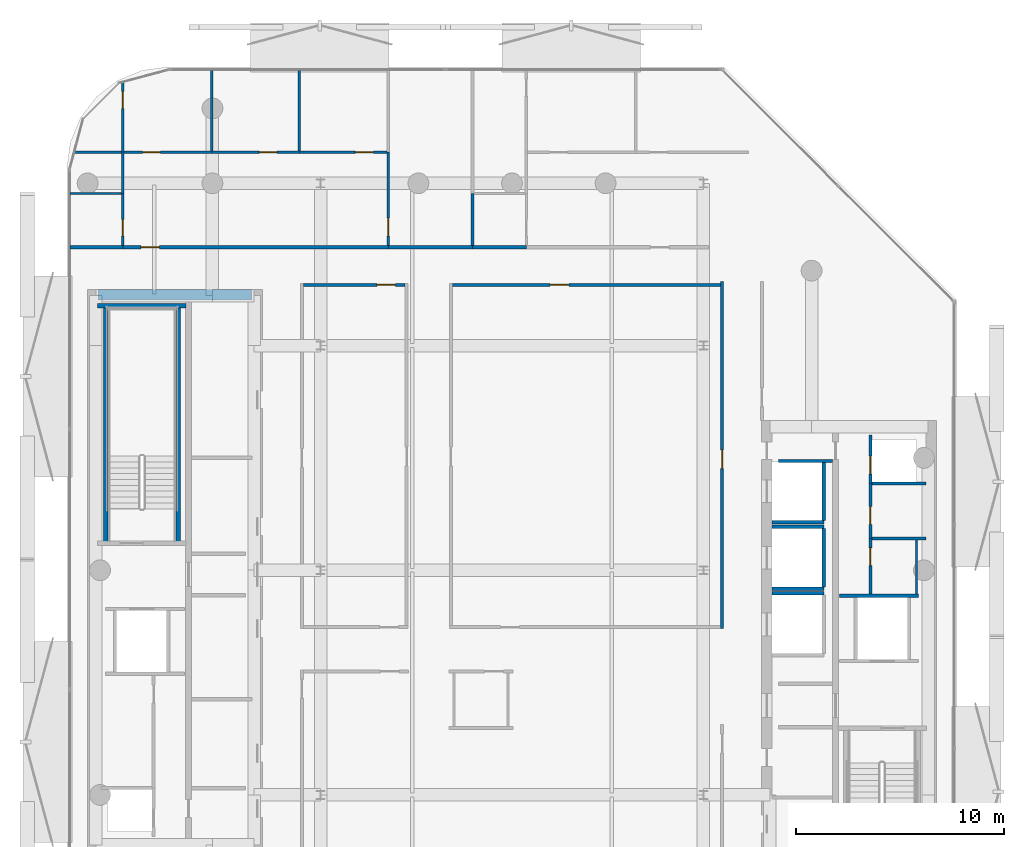
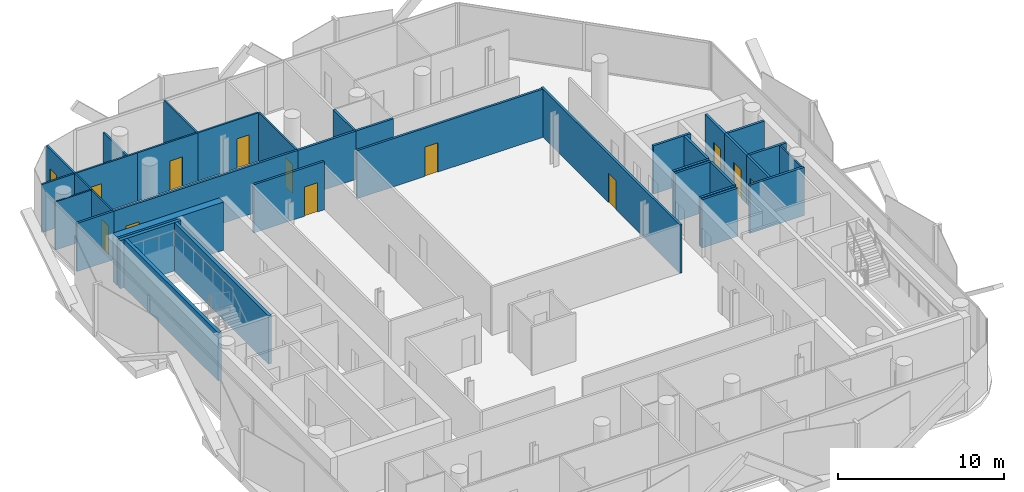
# One storey, part 7 of 15: 36 walls, 13 doors, 13 openings.
"""IFC4 building model written with IfcOpenShell, lengths in metres."""

from ifc_helpers import new_model, si_unit, direction, frame, frame_2d, origin, place, context, subcontext, project, spatial, rectangle, extrude, material, layer, layer_set, type_object, element, fill, save


model = new_model("IFC4")

# Units and contexts
model_context = context("Model", 3, precision=1e-05, world=origin(), true_north=direction((0.0, 1.0)))
body_context = subcontext(model_context, "Body", "Model", "MODEL_VIEW")
ifc_project = project(units=[si_unit("LENGTHUNIT", "METRE"), si_unit("AREAUNIT", "SQUARE_METRE"), si_unit("VOLUMEUNIT", "CUBIC_METRE"), si_unit("PLANEANGLEUNIT", "RADIAN"), si_unit("MASSUNIT", "GRAM", prefix="KILO")], contexts=[model_context])

# Site, building, storey
site_placement = place(None, origin())
site = spatial("IfcSite", under=ifc_project, at=site_placement, CompositionType="ELEMENT")
building_placement = place(site_placement, origin())
building = spatial("IfcBuilding", under=site, at=building_placement, Name="Khairoan Windgate Tower", CompositionType="ELEMENT")
storey_placement = place(building_placement, frame((0.0, 0.0, 285.199951171875)))
storey = spatial("IfcBuildingStorey", under=building, at=storey_placement, Name="L68", CompositionType="ELEMENT", Elevation=285.199951171875)

# Wall
ifc_material_1 = material(Name="Moisture-Resistant Gypsum Partition", Category="gypsum")
ifc_layer_1 = layer(ifc_material_1, 0.10009765625, Name="Moisture-Resistant Gypsum Partition")
ifc_layer_set_1 = layer_set([ifc_layer_1], Name="Moisture-Resistant Gypsum Partition")
wall_type_1 = type_object("IfcWallType", Name="Bathroom Wet-Area Partition Wall", PredefinedType="PARTITIONING", material=ifc_layer_set_1)
wall_1_placement = place(storey_placement, frame((-21.2548828125, 18.10009765625, 0.0), z_axis=(0.0, 0.0, 1.0), x_axis=(1.0, 0.0, 0.0)))
element("IfcWall", 1, at=wall_1_placement, inside=storey, type_object=wall_type_1, Name="L68 Interior Partition 036", PredefinedType="PARTITIONING", context=body_context, shape_type="SweptSolid", body=[
    extrude(rectangle(XDim=2.494873046875, YDim=0.10009765625, at=frame_2d((1.24755859375, 0.0))), origin(), (0.0, 0.0, 1.0), 3.5400390625),
])

# Wall, opening, door
wall_2_placement = place(storey_placement, frame((-18.7099609375, 15.60009765625, 0.0), z_axis=(0.0, 0.0, 1.0), x_axis=(0.0, 1.0, 0.0)))
wall_2 = element("IfcWall", 2, at=wall_2_placement, inside=storey, type_object=wall_type_1, Name="L68 Interior Partition 037", PredefinedType="PARTITIONING", context=body_context, shape_type="SweptSolid", body=[
    extrude(rectangle(XDim=2.5, YDim=0.10009765625, at=frame_2d((1.25, 0.0))), origin(), (0.0, 0.0, 1.0), 3.5400390625),
])
opening_1_placement = place(wall_2_placement, frame((0.4599609375, 0.0, 0.0)))
opening_1 = element("IfcOpeningElement", 3, at=opening_1_placement, cuts=wall_2, Name="Opening ID-BTH", PredefinedType="OPENING", context=body_context, shape_type="SweptSolid", body=[
    extrude(rectangle(XDim=0.800048828125, YDim=2.10009765625, at=frame_2d((0.39990234375, 1.050048828125))), frame((0.0, 0.06005859375, 0.0), z_axis=(0.0, -1.0, 0.0), x_axis=(1.0, 0.0, 0.0)), (0.0, 0.0, 1.0), 0.1201171875),
])
ifc_material_2 = material(Name="Teak Veneer Timber Leaf", Category="wood")
door_type_1 = type_object("IfcDoorType", Name="Internal Bathroom Door ID-BTH 800x2100", OperationType="NOTDEFINED", PredefinedType="DOOR", material=ifc_material_2)
door_1_placement = place(opening_1_placement, origin())
door_1 = element("IfcDoor", 4, at=door_1_placement, inside=storey, type_object=door_type_1, Name="L68 L68-33-L68-35 Door", OperationType="SINGLE_SWING_RIGHT", OverallHeight=2.10009765625, OverallWidth=0.800048828125, PredefinedType="DOOR", context=body_context, shape_type="SweptSolid", body=[
    extrude(rectangle(XDim=0.800048828125, YDim=2.10009765625, at=frame_2d((0.39990234375, 1.050048828125))), frame((0.0, 0.02490234375, 0.0), z_axis=(0.0, -1.0, 0.0), x_axis=(1.0, 0.0, 0.0)), (0.0, 0.0, 1.0), 0.050048828125),
])
fill(opening_1, door_1)

# Walls
wall_3_placement = place(storey_placement, frame((19.449951171875, 1.449951171875, 0.0), z_axis=(0.0, 0.0, 1.0), x_axis=(0.0, -1.0, 0.0)))
element("IfcWall", 5, at=wall_3_placement, inside=storey, type_object=wall_type_1, Name="L68 Wet Room Side Wall 077", PredefinedType="PARTITIONING", context=body_context, shape_type="SweptSolid", body=[
    extrude(rectangle(XDim=2.58984375, YDim=0.10009765625, at=frame_2d((1.294921875, 0.0))), origin(), (0.0, 0.0, 1.0), 3.5400390625),
])
ifc_material_3 = material(Name="Concrete C40/50", Category="concrete")
ifc_layer_2 = layer(ifc_material_3, 0.159912109375, Name="Concrete C40/50")
ifc_layer_set_2 = layer_set([ifc_layer_2], Name="Concrete C40/50")
wall_type_2 = type_object("IfcWallType", Name="Core and Hoistway Enclosure Wall", PredefinedType="STANDARD", material=ifc_layer_set_2)
wall_4_placement = place(storey_placement, frame((12.5, 2.31005859375, 0.0), z_axis=(0.0, 0.0, 1.0), x_axis=(1.0, 0.0, 0.0)))
element("IfcWall", 6, at=wall_4_placement, inside=storey, type_object=wall_type_2, Name="L68 Lift PL7 Hoistway Divider S", PredefinedType="STANDARD", context=body_context, shape_type="SweptSolid", body=[
    extrude(rectangle(XDim=2.489990234375, YDim=0.159912109375, at=frame_2d((1.2451171875, 0.0))), origin(), (0.0, 0.0, 1.0), 3.5400390625),
])
wall_5_placement = place(storey_placement, frame((14.989990234375, 2.39990234375, 0.0), z_axis=(0.0, 0.0, 1.0), x_axis=(0.0, 1.0, 0.0)))
element("IfcWall", 7, at=wall_5_placement, inside=storey, type_object=wall_type_2, Name="L68 Lift PL7 Hoistway Back Wall", PredefinedType="STANDARD", context=body_context, shape_type="SweptSolid", body=[
    extrude(rectangle(XDim=2.800048828125, YDim=0.159912109375, at=frame_2d((1.39990234375, 0.0))), origin(), (0.0, 0.0, 1.0), 3.5400390625),
])
for number, where, z_axis, x_axis, name in (
    (8, (12.5, -0.889892578125, 0.0), (0.0, 0.0, 1.0), (1.0, 0.0, 0.0), "L68 Lift PL8 Hoistway Divider S"),
    (9, (12.5, 2.090087890625, 0.0), (0.0, 0.0, 1.0), (1.0, 0.0, 0.0), "L68 Lift PL8 Hoistway Divider N"),
):
    element("IfcWall", number, at=place(storey_placement, frame(where, z_axis=z_axis, x_axis=x_axis)), inside=storey, type_object=wall_type_2, Name=name, PredefinedType="STANDARD", context=body_context, shape_type="SweptSolid", body=[
        extrude(rectangle(XDim=2.489990234375, YDim=0.159912109375, at=frame_2d((1.2451171875, 0.0))), origin(), (0.0, 0.0, 1.0), 3.5400390625),
    ])
wall_6_placement = place(storey_placement, frame((14.989990234375, -0.800048828125, 0.0), z_axis=(0.0, 0.0, 1.0), x_axis=(0.0, 1.0, 0.0)))
element("IfcWall", 10, at=wall_6_placement, inside=storey, type_object=wall_type_2, Name="L68 Lift PL8 Hoistway Back Wall", PredefinedType="STANDARD", context=body_context, shape_type="SweptSolid", body=[
    extrude(rectangle(XDim=2.800048828125, YDim=0.159912109375, at=frame_2d((1.39990234375, 0.0))), origin(), (0.0, 0.0, 1.0), 3.5400390625),
])
wall_7_placement = place(storey_placement, frame((12.5, -1.110107421875, 0.0), z_axis=(0.0, 0.0, 1.0), x_axis=(1.0, 0.0, 0.0)))
element("IfcWall", 11, at=wall_7_placement, inside=storey, type_object=wall_type_2, Name="L68 Lift PL9 Hoistway Divider N", PredefinedType="STANDARD", context=body_context, shape_type="SweptSolid", body=[
    extrude(rectangle(XDim=2.489990234375, YDim=0.159912109375, at=frame_2d((1.2451171875, 0.0))), origin(), (0.0, 0.0, 1.0), 3.5400390625),
])
wall_8_placement = place(storey_placement, frame((15.75, -1.219970703125, 0.0), z_axis=(0.0, 0.0, 1.0), x_axis=(1.0, 0.0, 0.0)))
element("IfcWall", 12, at=wall_8_placement, inside=storey, type_object=wall_type_2, Name="L68 Core Shaft Wall SW-FL1T-L68", PredefinedType="STANDARD", context=body_context, shape_type="SweptSolid", body=[
    extrude(rectangle(XDim=3.800048828125, YDim=0.159912109375, at=frame_2d((1.89990234375, 0.0))), origin(), (0.0, 0.0, 1.0), 3.5400390625),
])
wall_9_placement = place(storey_placement, frame((12.800048828125, 5.25, 0.0), z_axis=(0.0, 0.0, 1.0), x_axis=(1.0, 0.0, 0.0)))
element("IfcWall", 13, at=wall_9_placement, inside=storey, type_object=wall_type_2, Name="L68 Core Shaft Wall SW-ESV-L68", PredefinedType="STANDARD", context=body_context, shape_type="SweptSolid", body=[
    extrude(rectangle(XDim=2.599853515625, YDim=0.159912109375, at=frame_2d((1.2998046875, 0.0))), origin(), (0.0, 0.0, 1.0), 3.5400390625),
])
ifc_material_4 = material(Name="Acoustic Fire-Rated Gypsum Partition", Category="gypsum")
ifc_layer_3 = layer(ifc_material_4, 0.139892578125, Name="Acoustic Fire-Rated Gypsum Partition")
ifc_layer_set_3 = layer_set([ifc_layer_3], Name="Acoustic Fire-Rated Gypsum Partition")
wall_type_3 = type_object("IfcWallType", Name="Inter-Tenancy Compartment Wall", PredefinedType="PARTITIONING", material=ifc_layer_set_3)
wall_10_placement = place(storey_placement, frame((-1.89990234375, 15.60009765625, 0.0), z_axis=(0.0, 0.0, 1.0), x_axis=(0.0, 1.0, 0.0)))
element("IfcWall", 14, at=wall_10_placement, inside=storey, type_object=wall_type_3, Name="L68 Interior Partition 045", PredefinedType="PARTITIONING", context=body_context, shape_type="SweptSolid", body=[
    extrude(rectangle(XDim=2.5, YDim=0.139892578125, at=frame_2d((1.25, 0.0))), origin(), (0.0, 0.0, 1.0), 3.5400390625),
])
ifc_material_5 = material(Name="Gypsum Stud Partition", Category="gypsum")
ifc_layer_4 = layer(ifc_material_5, 0.1201171875, Name="Gypsum Stud Partition")
ifc_layer_set_4 = layer_set([ifc_layer_4], Name="Gypsum Stud Partition")
wall_type_4 = type_object("IfcWallType", Name="Internal Room Partition Wall", PredefinedType="PARTITIONING", material=ifc_layer_set_4)
wall_11_placement = place(storey_placement, frame((-18.7099609375, 18.10009765625, 0.0), z_axis=(0.0, 0.0, 1.0), x_axis=(0.0, 1.0, 0.0)))
element("IfcWall", 15, at=wall_11_placement, inside=storey, type_object=wall_type_4, Name="L68 Interior Partition 038", PredefinedType="PARTITIONING", context=body_context, shape_type="SweptSolid", body=[
    extrude(rectangle(XDim=2.0, YDim=0.1201171875, at=frame_2d((1.0, 0.0))), origin(), (0.0, 0.0, 1.0), 3.5400390625),
])

# Wall, opening, door
wall_12_placement = place(storey_placement, frame((-18.7099609375, 20.10009765625, 0.0), z_axis=(0.0, 0.0, 1.0), x_axis=(0.0, 1.0, 0.0)))
wall_12 = element("IfcWall", 16, at=wall_12_placement, inside=storey, type_object=wall_type_4, Name="L68 Interior Partition 039", PredefinedType="PARTITIONING", context=body_context, shape_type="SweptSolid", body=[
    extrude(rectangle(XDim=3.361328125, YDim=0.1201171875, at=frame_2d((1.6806640625, 0.0))), origin(), (0.0, 0.0, 1.0), 3.5400390625),
])
opening_2_placement = place(wall_12_placement, frame((2.1015625, 0.0, 0.0)))
opening_2 = element("IfcOpeningElement", 17, at=opening_2_placement, cuts=wall_12, Name="Opening ID-BTH", PredefinedType="OPENING", context=body_context, shape_type="SweptSolid", body=[
    extrude(rectangle(XDim=0.800048828125, YDim=2.10009765625, at=frame_2d((0.39990234375, 1.050048828125))), frame((0.0, 0.070068359375, 0.0), z_axis=(0.0, -1.0, 0.0), x_axis=(1.0, 0.0, 0.0)), (0.0, 0.0, 1.0), 0.14013671875),
])
door_2_placement = place(opening_2_placement, origin())
door_2 = element("IfcDoor", 18, at=door_2_placement, inside=storey, type_object=door_type_1, Name="L68 L68-34-L68-37 Door", OperationType="SINGLE_SWING_LEFT", OverallHeight=2.10009765625, OverallWidth=0.800048828125, PredefinedType="DOOR", context=body_context, shape_type="SweptSolid", body=[
    extrude(rectangle(XDim=0.800048828125, YDim=2.10009765625, at=frame_2d((0.39990234375, 1.050048828125))), frame((0.0, 0.02490234375, 0.0), z_axis=(0.0, -1.0, 0.0), x_axis=(1.0, 0.0, 0.0)), (0.0, 0.0, 1.0), 0.050048828125),
])
fill(opening_2, door_2)

wall_13_placement = place(storey_placement, frame((-5.93994140625, 15.60009765625, 0.0), z_axis=(0.0, 0.0, 1.0), x_axis=(0.0, 1.0, 0.0)))
wall_13 = element("IfcWall", 19, at=wall_13_placement, inside=storey, type_object=wall_type_4, Name="L68 Interior Partition 040", PredefinedType="PARTITIONING", context=body_context, shape_type="SweptSolid", body=[
    extrude(rectangle(XDim=4.5, YDim=0.1201171875, at=frame_2d((2.25, 0.0))), origin(), (0.0, 0.0, 1.0), 3.5400390625),
])
opening_3_placement = place(wall_13_placement, frame((0.4599609375, 0.0, 0.0)))
opening_3 = element("IfcOpeningElement", 20, at=opening_3_placement, cuts=wall_13, Name="Opening ID-RM", PredefinedType="OPENING", context=body_context, shape_type="SweptSolid", body=[
    extrude(rectangle(XDim=0.860107421875, YDim=2.14990234375, at=frame_2d((0.43017578125, 1.074951171875))), frame((0.0, 0.070068359375, 0.0), z_axis=(0.0, -1.0, 0.0), x_axis=(1.0, 0.0, 0.0)), (0.0, 0.0, 1.0), 0.14013671875),
])
ifc_material_6 = material(Name="Teak Veneer Timber Leaf", Category="wood")
door_type_2 = type_object("IfcDoorType", Name="Internal Bedroom and Office Door ID-RM 860x2150", OperationType="NOTDEFINED", PredefinedType="DOOR", material=ifc_material_6)
door_3_placement = place(opening_3_placement, origin())
door_3 = element("IfcDoor", 21, at=door_3_placement, inside=storey, type_object=door_type_2, Name="L68 L68-35-L68-36 Door", OperationType="SINGLE_SWING_RIGHT", OverallHeight=2.14990234375, OverallWidth=0.860107421875, PredefinedType="DOOR", context=body_context, shape_type="SweptSolid", body=[
    extrude(rectangle(XDim=0.860107421875, YDim=2.14990234375, at=frame_2d((0.43017578125, 1.074951171875))), frame((0.0, 0.02490234375, 0.0), z_axis=(0.0, -1.0, 0.0), x_axis=(1.0, 0.0, 0.0)), (0.0, 0.0, 1.0), 0.050048828125),
])
fill(opening_3, door_3)

wall_14_placement = place(storey_placement, frame((-21.03857421875, 20.10009765625, 0.0), z_axis=(0.0, 0.0, 1.0), x_axis=(1.0, 0.0, 0.0)))
wall_14 = element("IfcWall", 22, at=wall_14_placement, inside=storey, type_object=wall_type_4, Name="L68 Interior Partition 041", PredefinedType="PARTITIONING", context=body_context, shape_type="SweptSolid", body=[
    extrude(rectangle(XDim=6.611572265625, YDim=0.1201171875, at=frame_2d((3.3056640625, 0.0))), origin(), (0.0, 0.0, 1.0), 3.5400390625),
])
opening_4_placement = place(wall_14_placement, frame((3.2783203125, 0.0, 0.0)))
opening_4 = element("IfcOpeningElement", 23, at=opening_4_placement, cuts=wall_14, Name="Opening ID-RM", PredefinedType="OPENING", context=body_context, shape_type="SweptSolid", body=[
    extrude(rectangle(XDim=0.860107421875, YDim=2.14990234375, at=frame_2d((0.43017578125, 1.074951171875))), frame((0.0, 0.070068359375, 0.0), z_axis=(0.0, -1.0, 0.0), x_axis=(1.0, 0.0, 0.0)), (0.0, 0.0, 1.0), 0.14013671875),
])
door_4_placement = place(opening_4_placement, origin())
door_4 = element("IfcDoor", 24, at=door_4_placement, inside=storey, type_object=door_type_2, Name="L68 L68-35-L68-37 Door", OperationType="SINGLE_SWING_LEFT", OverallHeight=2.14990234375, OverallWidth=0.860107421875, PredefinedType="DOOR", context=body_context, shape_type="SweptSolid", body=[
    extrude(rectangle(XDim=0.860107421875, YDim=2.14990234375, at=frame_2d((0.43017578125, 1.074951171875))), frame((0.0, 0.02490234375, 0.0), z_axis=(0.0, -1.0, 0.0), x_axis=(1.0, 0.0, 0.0)), (0.0, 0.0, 1.0), 0.050048828125),
])
fill(opening_4, door_4)

wall_15_placement = place(storey_placement, frame((-14.427001953125, 20.10009765625, 0.0), z_axis=(0.0, 0.0, 1.0), x_axis=(1.0, 0.0, 0.0)))
wall_15 = element("IfcWall", 25, at=wall_15_placement, inside=storey, type_object=wall_type_4, Name="L68 Interior Partition 042", PredefinedType="PARTITIONING", context=body_context, shape_type="SweptSolid", body=[
    extrude(rectangle(XDim=4.2041015625, YDim=0.1201171875, at=frame_2d((2.10205078125, 0.0))), origin(), (0.0, 0.0, 1.0), 3.5400390625),
])
opening_5_placement = place(wall_15_placement, frame((2.278076171875, 0.0, 0.0)))
opening_5 = element("IfcOpeningElement", 26, at=opening_5_placement, cuts=wall_15, Name="Opening ID-RM", PredefinedType="OPENING", context=body_context, shape_type="SweptSolid", body=[
    extrude(rectangle(XDim=0.860107421875, YDim=2.14990234375, at=frame_2d((0.43017578125, 1.074951171875))), frame((0.0, 0.070068359375, 0.0), z_axis=(0.0, -1.0, 0.0), x_axis=(1.0, 0.0, 0.0)), (0.0, 0.0, 1.0), 0.14013671875),
])
door_5_placement = place(opening_5_placement, origin())
door_5 = element("IfcDoor", 27, at=door_5_placement, inside=storey, type_object=door_type_2, Name="L68 L68-35-L68-38 Door", OperationType="SINGLE_SWING_RIGHT", OverallHeight=2.14990234375, OverallWidth=0.860107421875, PredefinedType="DOOR", context=body_context, shape_type="SweptSolid", body=[
    extrude(rectangle(XDim=0.860107421875, YDim=2.14990234375, at=frame_2d((0.43017578125, 1.074951171875))), frame((0.0, 0.02490234375, 0.0), z_axis=(0.0, -1.0, 0.0), x_axis=(1.0, 0.0, 0.0)), (0.0, 0.0, 1.0), 0.050048828125),
])
fill(opening_5, door_5)

wall_16_placement = place(storey_placement, frame((-10.222900390625, 20.10009765625, 0.0), z_axis=(0.0, 0.0, 1.0), x_axis=(1.0, 0.0, 0.0)))
wall_16 = element("IfcWall", 28, at=wall_16_placement, inside=storey, type_object=wall_type_4, Name="L68 Interior Partition 043", PredefinedType="PARTITIONING", context=body_context, shape_type="SweptSolid", body=[
    extrude(rectangle(XDim=4.222900390625, YDim=0.1201171875, at=frame_2d((2.111328125, 0.0))), origin(), (0.0, 0.0, 1.0), 3.5400390625),
])
opening_6_placement = place(wall_16_placement, frame((2.699462890625, 0.0, 0.0)))
opening_6 = element("IfcOpeningElement", 29, at=opening_6_placement, cuts=wall_16, Name="Opening ID-RM", PredefinedType="OPENING", context=body_context, shape_type="SweptSolid", body=[
    extrude(rectangle(XDim=0.860107421875, YDim=2.14990234375, at=frame_2d((0.43017578125, 1.074951171875))), frame((0.0, 0.070068359375, 0.0), z_axis=(0.0, -1.0, 0.0), x_axis=(1.0, 0.0, 0.0)), (0.0, 0.0, 1.0), 0.14013671875),
])
door_6_placement = place(opening_6_placement, origin())
door_6 = element("IfcDoor", 30, at=door_6_placement, inside=storey, type_object=door_type_2, Name="L68 L68-35-L68-39 Door", OperationType="SINGLE_SWING_LEFT", OverallHeight=2.14990234375, OverallWidth=0.860107421875, PredefinedType="DOOR", context=body_context, shape_type="SweptSolid", body=[
    extrude(rectangle(XDim=0.860107421875, YDim=2.14990234375, at=frame_2d((0.43017578125, 1.074951171875))), frame((0.0, 0.02490234375, 0.0), z_axis=(0.0, -1.0, 0.0), x_axis=(1.0, 0.0, 0.0)), (0.0, 0.0, 1.0), 0.050048828125),
])
fill(opening_6, door_6)

# Walls
wall_17_placement = place(storey_placement, frame((-14.427001953125, 20.159912109375, 0.0), z_axis=(0.0, 0.0, 1.0), x_axis=(0.0, 1.0, 0.0)))
element("IfcWall", 31, at=wall_17_placement, inside=storey, type_object=wall_type_4, Name="L68 Interior Partition 047", PredefinedType="PARTITIONING", context=body_context, shape_type="SweptSolid", body=[
    extrude(rectangle(XDim=3.89501953125, YDim=0.1201171875, at=frame_2d((1.947509765625, 0.0))), origin(), (0.0, 0.0, 1.0), 2.64013671875),
])
wall_18_placement = place(storey_placement, frame((-10.222900390625, 20.159912109375, 0.0), z_axis=(0.0, 0.0, 1.0), x_axis=(0.0, 1.0, 0.0)))
element("IfcWall", 32, at=wall_18_placement, inside=storey, type_object=wall_type_4, Name="L68 Interior Partition 048", PredefinedType="PARTITIONING", context=body_context, shape_type="SweptSolid", body=[
    extrude(rectangle(XDim=3.89501953125, YDim=0.1201171875, at=frame_2d((1.947509765625, 0.0))), origin(), (0.0, 0.0, 1.0), 3.5400390625),
])

# Wall, opening, door
ifc_material_7 = material(Name="Concrete C40/50", Category="concrete")
ifc_layer_5 = layer(ifc_material_7, 0.159912109375, Name="Concrete C40/50")
ifc_layer_set_5 = layer_set([ifc_layer_5], Name="Concrete C40/50")
wall_type_5 = type_object("IfcWallType", Name="Plant and Refuge Compartment Wall", PredefinedType="PARTITIONING", material=ifc_layer_set_5)
wall_19_placement = place(storey_placement, frame((17.22998046875, 4.169921875, 0.0), z_axis=(0.0, 0.0, 1.0), x_axis=(0.0, 1.0, 0.0)))
wall_19 = element("IfcWall", 33, at=wall_19_placement, inside=storey, type_object=wall_type_5, Name="L68 Interior Partition 006", PredefinedType="PARTITIONING", context=body_context, shape_type="SweptSolid", body=[
    extrude(rectangle(XDim=2.320068359375, YDim=0.159912109375, at=frame_2d((1.16015625, 0.0))), origin(), (0.0, 0.0, 1.0), 3.5400390625),
])
opening_7_placement = place(wall_19_placement, frame((0.4599609375, 0.0, 0.0)))
opening_7 = element("IfcOpeningElement", 34, at=opening_7_placement, cuts=wall_19, Name="Opening FD-SRV", PredefinedType="OPENING", context=body_context, shape_type="SweptSolid", body=[
    extrude(rectangle(XDim=0.85009765625, YDim=2.10009765625, at=frame_2d((0.425048828125, 1.050048828125))), frame((0.0, 0.08984375, 0.0), z_axis=(0.0, -1.0, 0.0), x_axis=(1.0, 0.0, 0.0)), (0.0, 0.0, 1.0), 0.179931640625),
])
ifc_material_8 = material(Name="Steel S355", Category="steel")
door_type_3 = type_object("IfcDoorType", Name="Core Service and Riser Fire Door FD-SRV 850x2100", OperationType="NOTDEFINED", PredefinedType="DOOR", material=ifc_material_8)
door_7_placement = place(opening_7_placement, origin())
door_7 = element("IfcDoor", 35, at=door_7_placement, inside=storey, type_object=door_type_3, Name="L68 L68-16-L68-17 Door", OperationType="SINGLE_SWING_RIGHT", OverallHeight=2.10009765625, OverallWidth=0.85009765625, PredefinedType="DOOR", context=body_context, shape_type="SweptSolid", body=[
    extrude(rectangle(XDim=0.85009765625, YDim=2.10009765625, at=frame_2d((0.425048828125, 1.050048828125))), frame((0.0, 0.02490234375, 0.0), z_axis=(0.0, -1.0, 0.0), x_axis=(1.0, 0.0, 0.0)), (0.0, 0.0, 1.0), 0.050048828125),
])
fill(opening_7, door_7)

wall_20_placement = place(storey_placement, frame((17.22998046875, -1.139892578125, 0.0), z_axis=(0.0, 0.0, 1.0), x_axis=(0.0, 1.0, 0.0)))
wall_20 = element("IfcWall", 36, at=wall_20_placement, inside=storey, type_object=wall_type_5, Name="L68 Interior Partition 007", PredefinedType="PARTITIONING", context=body_context, shape_type="SweptSolid", body=[
    extrude(rectangle(XDim=2.669921875, YDim=0.159912109375, at=frame_2d((1.3349609375, 0.0))), origin(), (0.0, 0.0, 1.0), 3.5400390625),
])
opening_8_placement = place(wall_20_placement, frame((1.360107421875, 0.0, 0.0)))
opening_8 = element("IfcOpeningElement", 37, at=opening_8_placement, cuts=wall_20, Name="Opening FD-SRV", PredefinedType="OPENING", context=body_context, shape_type="SweptSolid", body=[
    extrude(rectangle(XDim=0.85009765625, YDim=2.10009765625, at=frame_2d((0.425048828125, 1.050048828125))), frame((0.0, 0.08984375, 0.0), z_axis=(0.0, -1.0, 0.0), x_axis=(1.0, 0.0, 0.0)), (0.0, 0.0, 1.0), 0.179931640625),
])
door_8_placement = place(opening_8_placement, origin())
door_8 = element("IfcDoor", 38, at=door_8_placement, inside=storey, type_object=door_type_3, Name="L68 L68-16-L68-18 Door", OperationType="SINGLE_SWING_LEFT", OverallHeight=2.10009765625, OverallWidth=0.85009765625, PredefinedType="DOOR", context=body_context, shape_type="SweptSolid", body=[
    extrude(rectangle(XDim=0.85009765625, YDim=2.10009765625, at=frame_2d((0.425048828125, 1.050048828125))), frame((0.0, 0.02490234375, 0.0), z_axis=(0.0, -1.0, 0.0), x_axis=(1.0, 0.0, 0.0)), (0.0, 0.0, 1.0), 0.050048828125),
])
fill(opening_8, door_8)

wall_21_placement = place(storey_placement, frame((17.22998046875, 1.530029296875, 0.0), z_axis=(0.0, 0.0, 1.0), x_axis=(0.0, 1.0, 0.0)))
wall_21 = element("IfcWall", 39, at=wall_21_placement, inside=storey, type_object=wall_type_5, Name="L68 Interior Partition 008", PredefinedType="PARTITIONING", context=body_context, shape_type="SweptSolid", body=[
    extrude(rectangle(XDim=2.639892578125, YDim=0.159912109375, at=frame_2d((1.31982421875, 0.0))), origin(), (0.0, 0.0, 1.0), 3.5400390625),
])
opening_9_placement = place(wall_21_placement, frame((0.677490234375, 0.0, 0.0)))
opening_9 = element("IfcOpeningElement", 40, at=opening_9_placement, cuts=wall_21, Name="Opening FD-SRV", PredefinedType="OPENING", context=body_context, shape_type="SweptSolid", body=[
    extrude(rectangle(XDim=0.85009765625, YDim=2.10009765625, at=frame_2d((0.425048828125, 1.050048828125))), frame((0.0, 0.08984375, 0.0), z_axis=(0.0, -1.0, 0.0), x_axis=(1.0, 0.0, 0.0)), (0.0, 0.0, 1.0), 0.179931640625),
])
door_9_placement = place(opening_9_placement, origin())
door_9 = element("IfcDoor", 41, at=door_9_placement, inside=storey, type_object=door_type_3, Name="L68 L68-16-L68-19 Door", OperationType="SINGLE_SWING_RIGHT", OverallHeight=2.10009765625, OverallWidth=0.85009765625, PredefinedType="DOOR", context=body_context, shape_type="SweptSolid", body=[
    extrude(rectangle(XDim=0.85009765625, YDim=2.10009765625, at=frame_2d((0.425048828125, 1.050048828125))), frame((0.0, 0.02490234375, 0.0), z_axis=(0.0, -1.0, 0.0), x_axis=(1.0, 0.0, 0.0)), (0.0, 0.0, 1.0), 0.050048828125),
])
fill(opening_9, door_9)

# Walls
for number, where, z_axis, x_axis, name in (
    (42, (17.31005859375, 4.169921875, 0.0), (0.0, 0.0, 1.0), (1.0, 0.0, 0.0), "L68 Interior Partition 009"),
    (43, (17.31005859375, 1.530029296875, 0.0), (0.0, 0.0, 1.0), (1.0, 0.0, 0.0), "L68 Interior Partition 010"),
):
    element("IfcWall", number, at=place(storey_placement, frame(where, z_axis=z_axis, x_axis=x_axis)), inside=storey, type_object=wall_type_5, Name=name, PredefinedType="PARTITIONING", context=body_context, shape_type="SweptSolid", body=[
        extrude(rectangle(XDim=2.58984375, YDim=0.159912109375, at=frame_2d((1.294921875, 0.0))), origin(), (0.0, 0.0, 1.0), 3.5400390625),
    ])

# Wall, opening, door
ifc_material_9 = material(Name="Acoustic Fire-Rated Gypsum Partition", Category="gypsum")
ifc_layer_6 = layer(ifc_material_9, 0.14990234375, Name="Acoustic Fire-Rated Gypsum Partition")
ifc_layer_set_6 = layer_set([ifc_layer_6], Name="Acoustic Fire-Rated Gypsum Partition")
wall_type_6 = type_object("IfcWallType", Name="Rated Corridor Partition Wall", PredefinedType="PARTITIONING", material=ifc_layer_set_6)
wall_22_placement = place(storey_placement, frame((10.10009765625, -2.81005859375, 0.0), z_axis=(0.0, 0.0, 1.0), x_axis=(0.0, 1.0, 0.0)))
wall_22 = element("IfcWall", 44, at=wall_22_placement, inside=storey, type_object=wall_type_6, Name="L68 Interior Partition 015", PredefinedType="PARTITIONING", context=body_context, shape_type="SweptSolid", body=[
    extrude(rectangle(XDim=16.68994140625, YDim=0.14990234375, at=frame_2d((8.344970703125, 0.0))), origin(), (0.0, 0.0, 1.0), 3.5400390625),
])
opening_10_placement = place(wall_22_placement, frame((7.694091796875, 0.0, 0.0)))
opening_10 = element("IfcOpeningElement", 45, at=opening_10_placement, cuts=wall_22, Name="Opening FD-ENT", PredefinedType="OPENING", context=body_context, shape_type="SweptSolid", body=[
    extrude(rectangle(XDim=0.89990234375, YDim=2.14990234375, at=frame_2d((0.449951171875, 1.074951171875))), frame((0.0, 0.0849609375, 0.0), z_axis=(0.0, -1.0, 0.0), x_axis=(1.0, 0.0, 0.0)), (0.0, 0.0, 1.0), 0.169921875),
])
ifc_material_10 = material(Name="Timber Fire-Rated Core", Category="wood")
door_type_4 = type_object("IfcDoorType", Name="Unit and Office Fire Entrance Door FD-ENT 900x2150", OperationType="NOTDEFINED", PredefinedType="DOOR", material=ifc_material_10)
door_10_placement = place(opening_10_placement, origin())
door_10 = element("IfcDoor", 46, at=door_10_placement, inside=storey, type_object=door_type_4, Name="L68 L68-28-L68-60 Door", OperationType="SINGLE_SWING_RIGHT", OverallHeight=2.14990234375, OverallWidth=0.89990234375, PredefinedType="DOOR", context=body_context, shape_type="SweptSolid", body=[
    extrude(rectangle(XDim=0.89990234375, YDim=2.14990234375, at=frame_2d((0.449951171875, 1.074951171875))), frame((0.0, 0.02490234375, 0.0), z_axis=(0.0, -1.0, 0.0), x_axis=(1.0, 0.0, 0.0)), (0.0, 0.0, 1.0), 0.050048828125),
])
fill(opening_10, door_10)

# Wall
wall_23_placement = place(storey_placement, frame((-21.2548828125, 15.52490234375, 0.0), z_axis=(0.0, 0.0, 1.0), x_axis=(1.0, 0.0, 0.0)))
element("IfcWall", 47, at=wall_23_placement, inside=storey, type_object=wall_type_6, Name="L68 Interior Partition 023", PredefinedType="PARTITIONING", context=body_context, shape_type="SweptSolid", body=[
    extrude(rectangle(XDim=2.544921875, YDim=0.14990234375, at=frame_2d((1.2724609375, 0.0))), origin(), (0.0, 0.0, 1.0), 3.5400390625),
])

# Wall, opening, door
wall_24_placement = place(storey_placement, frame((-18.7099609375, 15.52490234375, 0.0), z_axis=(0.0, 0.0, 1.0), x_axis=(1.0, 0.0, 0.0)))
wall_24 = element("IfcWall", 48, at=wall_24_placement, inside=storey, type_object=wall_type_6, Name="L68 Interior Partition 024", PredefinedType="PARTITIONING", context=body_context, shape_type="SweptSolid", body=[
    extrude(rectangle(XDim=12.77001953125, YDim=0.14990234375, at=frame_2d((6.385009765625, 0.0))), origin(), (0.0, 0.0, 1.0), 3.5400390625),
])
opening_11_placement = place(wall_24_placement, frame((0.865478515625, 0.0, 0.0)))
opening_11 = element("IfcOpeningElement", 49, at=opening_11_placement, cuts=wall_24, Name="Opening FD-ENT", PredefinedType="OPENING", context=body_context, shape_type="SweptSolid", body=[
    extrude(rectangle(XDim=0.89990234375, YDim=2.14990234375, at=frame_2d((0.449951171875, 1.074951171875))), frame((0.0, 0.0849609375, 0.0), z_axis=(0.0, -1.0, 0.0), x_axis=(1.0, 0.0, 0.0)), (0.0, 0.0, 1.0), 0.169921875),
])
door_11_placement = place(opening_11_placement, origin())
door_11 = element("IfcDoor", 50, at=door_11_placement, inside=storey, type_object=door_type_4, Name="L68 L68-31-L68-35 Door", OperationType="SINGLE_SWING_RIGHT", OverallHeight=2.14990234375, OverallWidth=0.89990234375, PredefinedType="DOOR", context=body_context, shape_type="SweptSolid", body=[
    extrude(rectangle(XDim=0.89990234375, YDim=2.14990234375, at=frame_2d((0.449951171875, 1.074951171875))), frame((0.0, 0.02490234375, 0.0), z_axis=(0.0, -1.0, 0.0), x_axis=(1.0, 0.0, 0.0)), (0.0, 0.0, 1.0), 0.050048828125),
])
fill(opening_11, door_11)

# Walls
wall_25_placement = place(storey_placement, frame((-5.93994140625, 15.52490234375, 0.0), z_axis=(0.0, 0.0, 1.0), x_axis=(1.0, 0.0, 0.0)))
element("IfcWall", 51, at=wall_25_placement, inside=storey, type_object=wall_type_6, Name="L68 Interior Partition 025", PredefinedType="PARTITIONING", context=body_context, shape_type="SweptSolid", body=[
    extrude(rectangle(XDim=4.0400390625, YDim=0.14990234375, at=frame_2d((2.02001953125, 0.0))), origin(), (0.0, 0.0, 1.0), 3.5400390625),
])
wall_26_placement = place(storey_placement, frame((-1.89990234375, 15.52490234375, 0.0), z_axis=(0.0, 0.0, 1.0), x_axis=(1.0, 0.0, 0.0)))
element("IfcWall", 52, at=wall_26_placement, inside=storey, type_object=wall_type_6, Name="L68 Interior Partition 026", PredefinedType="PARTITIONING", context=body_context, shape_type="SweptSolid", body=[
    extrude(rectangle(XDim=2.58984375, YDim=0.14990234375, at=frame_2d((1.294921875, 0.0))), origin(), (0.0, 0.0, 1.0), 3.5400390625),
])

# Wall, opening, door
wall_27_placement = place(storey_placement, frame((-10.02490234375, 13.719970703125, 0.0), z_axis=(0.0, 0.0, 1.0), x_axis=(1.0, 0.0, 0.0)))
wall_27 = element("IfcWall", 53, at=wall_27_placement, inside=storey, type_object=wall_type_6, Name="L68 Interior Partition 028", PredefinedType="PARTITIONING", context=body_context, shape_type="SweptSolid", body=[
    extrude(rectangle(XDim=4.885009765625, YDim=0.14990234375, at=frame_2d((2.4423828125, 0.0))), origin(), (0.0, 0.0, 1.0), 3.5400390625),
])
opening_12_placement = place(wall_27_placement, frame((3.52490234375, 0.0, 0.0)))
opening_12 = element("IfcOpeningElement", 54, at=opening_12_placement, cuts=wall_27, Name="Opening FD-ENT", PredefinedType="OPENING", context=body_context, shape_type="SweptSolid", body=[
    extrude(rectangle(XDim=0.89990234375, YDim=2.14990234375, at=frame_2d((0.449951171875, 1.074951171875))), frame((0.0, 0.0849609375, 0.0), z_axis=(0.0, -1.0, 0.0), x_axis=(1.0, 0.0, 0.0)), (0.0, 0.0, 1.0), 0.169921875),
])
door_12_placement = place(opening_12_placement, origin())
door_12 = element("IfcDoor", 55, at=door_12_placement, inside=storey, type_object=door_type_4, Name="L68 L68-31-L68-58 Door", OperationType="SINGLE_SWING_RIGHT", OverallHeight=2.14990234375, OverallWidth=0.89990234375, PredefinedType="DOOR", context=body_context, shape_type="SweptSolid", body=[
    extrude(rectangle(XDim=0.89990234375, YDim=2.14990234375, at=frame_2d((0.449951171875, 1.074951171875))), frame((0.0, 0.02490234375, 0.0), z_axis=(0.0, -1.0, 0.0), x_axis=(1.0, 0.0, 0.0)), (0.0, 0.0, 1.0), 0.050048828125),
])
fill(opening_12, door_12)

wall_28_placement = place(storey_placement, frame((-2.860107421875, 13.719970703125, 0.0), z_axis=(0.0, 0.0, 1.0), x_axis=(1.0, 0.0, 0.0)))
wall_28 = element("IfcWall", 56, at=wall_28_placement, inside=storey, type_object=wall_type_6, Name="L68 Interior Partition 029", PredefinedType="PARTITIONING", context=body_context, shape_type="SweptSolid", body=[
    extrude(rectangle(XDim=12.885009765625, YDim=0.14990234375, at=frame_2d((6.4423828125, 0.0))), origin(), (0.0, 0.0, 1.0), 3.5400390625),
])
opening_13_placement = place(wall_28_placement, frame((4.6923828125, 0.0, 0.0)))
opening_13 = element("IfcOpeningElement", 57, at=opening_13_placement, cuts=wall_28, Name="Opening FD-ENT", PredefinedType="OPENING", context=body_context, shape_type="SweptSolid", body=[
    extrude(rectangle(XDim=0.89990234375, YDim=2.14990234375, at=frame_2d((0.449951171875, 1.074951171875))), frame((0.0, 0.0849609375, 0.0), z_axis=(0.0, -1.0, 0.0), x_axis=(1.0, 0.0, 0.0)), (0.0, 0.0, 1.0), 0.169921875),
])
door_13_placement = place(opening_13_placement, origin())
door_13 = element("IfcDoor", 58, at=door_13_placement, inside=storey, type_object=door_type_4, Name="L68 L68-31-L68-60 Door", OperationType="SINGLE_SWING_LEFT", OverallHeight=2.14990234375, OverallWidth=0.89990234375, PredefinedType="DOOR", context=body_context, shape_type="SweptSolid", body=[
    extrude(rectangle(XDim=0.89990234375, YDim=2.14990234375, at=frame_2d((0.449951171875, 1.074951171875))), frame((0.0, 0.02490234375, 0.0), z_axis=(0.0, -1.0, 0.0), x_axis=(1.0, 0.0, 0.0)), (0.0, 0.0, 1.0), 0.050048828125),
])
fill(opening_13, door_13)

# Walls
ifc_material_11 = material(Name="Concrete C50/60", Category="concrete")
ifc_layer_7 = layer(ifc_material_11, 0.5, Name="Concrete C50/60")
ifc_layer_set_7 = layer_set([ifc_layer_7], Name="Concrete C50/60")
wall_type_7 = type_object("IfcWallType", Name="Shear Wall CW-W3 500mm", PredefinedType="SHEAR", material=ifc_layer_set_7)
wall_29_placement = place(storey_placement, frame((-19.89990234375, 13.25, 0.0), z_axis=(0.0, 0.0, 1.0), x_axis=(1.0, 0.0, 0.0)))
element("IfcWall", 59, at=wall_29_placement, inside=storey, type_object=wall_type_7, Name="W Core North Shear Wall L68", PredefinedType="SHEAR", context=body_context, shape_type="SweptSolid", body=[
    extrude(rectangle(XDim=7.39990234375, YDim=0.5, at=frame_2d((3.699951171875, 0.0))), origin(), (0.0, 0.0, 1.0), 3.5400390625),
])
ifc_material_12 = material(Name="Concrete C50/60", Category="concrete")
ifc_layer_8 = layer(ifc_material_12, 0.219970703125, Name="Concrete C50/60")
ifc_layer_set_8 = layer_set([ifc_layer_8], Name="Concrete C50/60")
wall_type_8 = type_object("IfcWallType", Name="Shear Wall SW-ST 220mm", PredefinedType="SHEAR", material=ifc_layer_set_8)
for number, where, z_axis, x_axis, name in (
    (60, (-16.0400390625, 1.2900390625, 0.0), (0.0, 0.0, 1.0), (0.0, 1.0, 0.0), "L68 Stair ST2 East Bearing Wall"),
    (61, (-19.530029296875, 1.2900390625, 0.0), (0.0, 0.0, 1.0), (0.0, 1.0, 0.0), "L68 Stair ST2 West Bearing Wall"),
):
    element("IfcWall", number, at=place(storey_placement, frame(where, z_axis=z_axis, x_axis=x_axis)), inside=storey, type_object=wall_type_8, Name=name, PredefinedType="SHEAR", context=body_context, shape_type="SweptSolid", body=[
        extrude(rectangle(XDim=11.419921875, YDim=0.219970703125, at=frame_2d((5.7099609375, 0.0))), origin(), (0.0, 0.0, 1.0), 3.5400390625),
    ])
wall_30_placement = place(storey_placement, frame((-19.919921875, 12.7099609375, 0.0), z_axis=(0.0, 0.0, 1.0), x_axis=(1.0, 0.0, 0.0)))
element("IfcWall", 62, at=wall_30_placement, inside=storey, type_object=wall_type_8, Name="L68 Stair ST2 North Bearing Wall", PredefinedType="SHEAR", context=body_context, shape_type="SweptSolid", body=[
    extrude(rectangle(XDim=4.239990234375, YDim=0.219970703125, at=frame_2d((2.1201171875, 0.0))), origin(), (0.0, 0.0, 1.0), 3.5400390625),
])

save(model, "model.ifc")
